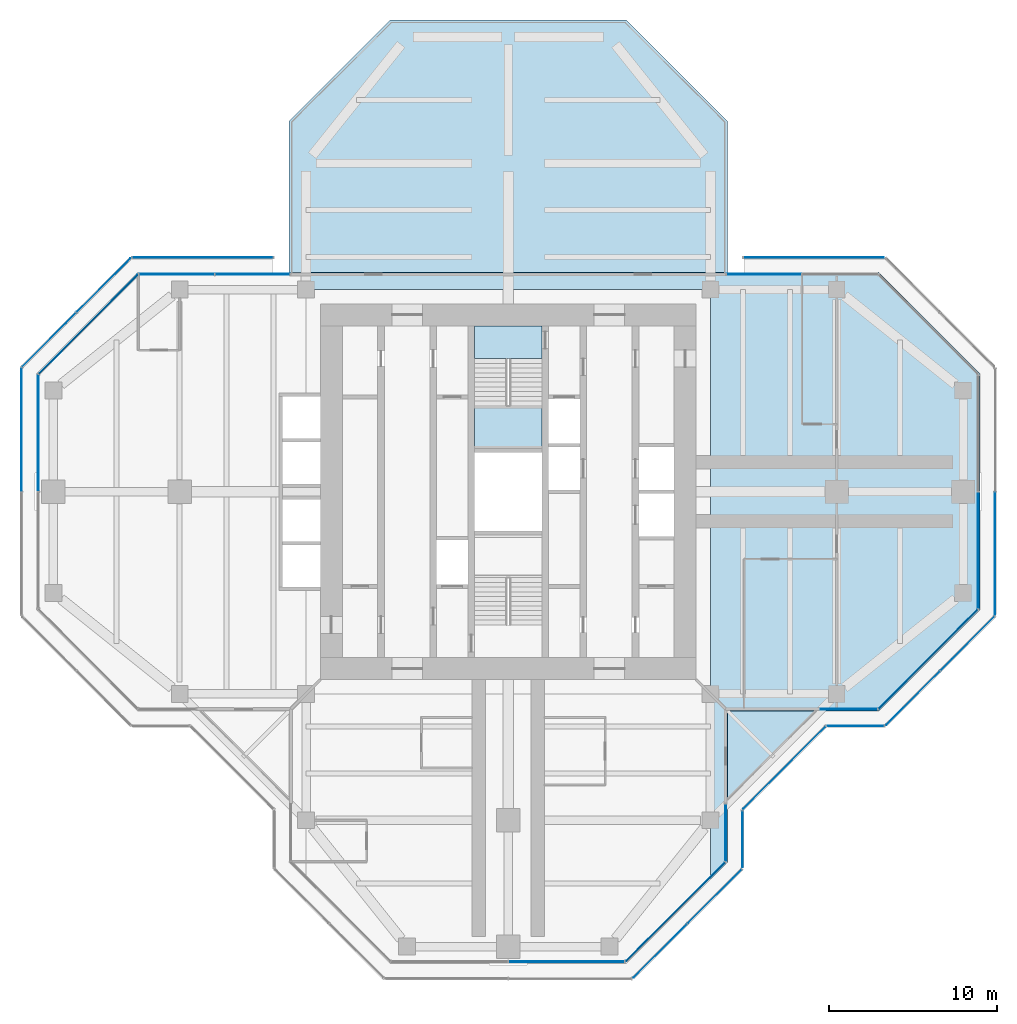
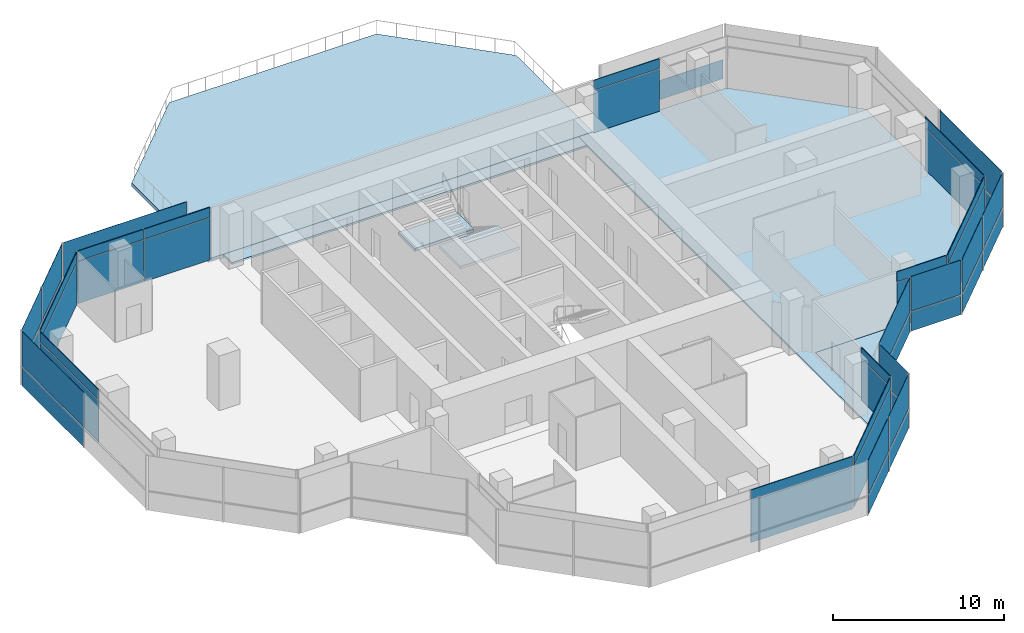
# One storey, part 10 of 15: 47 plates, 6 slabs, 21 elements without a shape of their own.
"""IFC4 building model written with IfcOpenShell, lengths in metres."""

from ifc_helpers import new_model, si_unit, direction, frame, origin, origin_2d, place, context, subcontext, project, spatial, polyline, rectangle, outline, extrude, material, layer, layer_set, type_object, element, aggregate, save


model = new_model("IFC4")

# Units and contexts
model_context = context("Model", 3, precision=1e-05, world=origin(), true_north=direction((0.0, 1.0)))
body_context = subcontext(model_context, "Body", "Model", "MODEL_VIEW")
ifc_project = project(units=[si_unit("LENGTHUNIT", "METRE"), si_unit("AREAUNIT", "SQUARE_METRE"), si_unit("VOLUMEUNIT", "CUBIC_METRE"), si_unit("PLANEANGLEUNIT", "RADIAN"), si_unit("MASSUNIT", "GRAM", prefix="KILO")], contexts=[model_context])

# Site, building, storey
site_placement = place(None, origin())
site = spatial("IfcSite", under=ifc_project, at=site_placement, CompositionType="ELEMENT")
building_placement = place(site_placement, origin())
building = spatial("IfcBuilding", under=site, at=building_placement, Name="Mizan Broadcast Tower", CompositionType="ELEMENT")
storey_placement = place(building_placement, frame((0.0, 0.0, 267.300048828125)))
storey = spatial("IfcBuildingStorey", under=building, at=storey_placement, Name="L63", CompositionType="ELEMENT", Elevation=267.300048828125)

# Slabs
ifc_material_1 = material(Name="Concrete C32/40", Category="concrete")
ifc_layer_1 = layer(ifc_material_1, 0.1298828125)
ifc_layer_set_1 = layer_set([ifc_layer_1], Name="Concrete C32/40")
slab_type_1 = type_object("IfcSlabType", Name="COMPOSITE DECK SLAB 130", PredefinedType="FLOOR", material=ifc_layer_set_1)
slab_1_placement = place(storey_placement, frame((0.0, 0.0, -0.130126953125)))
element("IfcSlab", 1, at=slab_1_placement, inside=storey, type_object=slab_type_1, Name="Floor slab L63 east arm", PredefinedType="FLOOR", context=body_context, shape_type="SweptSolid", body=[
    extrude(outline(polyline([(13.0, 13.0), (12.0, 13.0), (12.0, -23.0), (13.0, -22.0), (13.0, -13.0), (22.0, -13.0), (28.0, -7.0), (28.0, 7.0), (22.0, 13.0), (13.0, 13.0)])), origin(), (0.0, 0.0, 1.0), 0.130126953125),
])
slab_2_placement = place(storey_placement, frame((0.0, 0.0, -0.130126953125)))
element("IfcSlab", 2, at=slab_2_placement, inside=storey, type_object=slab_type_1, Name="Floor slab L63 north arm", PredefinedType="FLOOR", context=body_context, shape_type="SweptSolid", body=[
    extrude(outline(polyline([(12.0, 13.0), (-12.0, 13.0), (-12.0, 12.0), (12.0, 12.0), (12.0, 13.0)])), origin(), (0.0, 0.0, 1.0), 0.130126953125),
])

# Curtain wall, plate
ifc_material_2 = material(Name="Aluminium framed glazing", Category="aluminium")
curtain_wall_type_1 = type_object("IfcCurtainWallType", Name="INNER SKIN TOP ZONE", PredefinedType="USERDEFINED", material=ifc_material_2)
curtain_wall_1_placement = place(storey_placement, origin())
curtain_wall_1 = element("IfcCurtainWall", 3, at=curtain_wall_1_placement, inside=storey, type_object=curtain_wall_type_1, Name="Inner skin top zone L63 E side", ObjectType="INNER SKIN TOP ZONE", PredefinedType="USERDEFINED")
ifc_material_3 = material(Name="Double glazing, clear low-e", Category="glass")
ifc_layer_2 = layer(ifc_material_3, 0.028076171875)
ifc_layer_set_2 = layer_set([ifc_layer_2], Name="Double glazing, clear low-e")
plate_type_1 = type_object("IfcPlateType", Name="INNER SKIN GLAZING UNIT", PredefinedType="CURTAIN_PANEL", material=ifc_layer_set_2)
plate_1_placement = place(storey_placement, frame((20.229248046875, -12.89990234375, 0.0), z_axis=(0.0, 0.0, 1.0), x_axis=(1.0, 0.0, 0.0)))
plate_1 = element("IfcPlate", 4, at=plate_1_placement, type_object=plate_type_1, Name="Inner skin top zone L63 E side panel 1.1", PredefinedType="CURTAIN_PANEL", context=body_context, shape_type="SweptSolid", body=[
    extrude(rectangle(XDim=3.338623046875, YDim=0.028076171875, at=origin_2d()), origin(), (0.0, 0.0, 1.0), 3.0),
])

curtain_wall_2_placement = place(storey_placement, origin())
curtain_wall_2 = element("IfcCurtainWall", 5, at=curtain_wall_2_placement, inside=storey, type_object=curtain_wall_type_1, Name="Inner skin top zone L63 E chamfer", ObjectType="INNER SKIN TOP ZONE", PredefinedType="USERDEFINED")
plate_2_placement = place(storey_placement, frame((24.92919921875, -9.92919921875, 0.0), z_axis=(0.0, 0.0, 1.0), x_axis=(0.707106781187, 0.707106781187, 0.0)))
plate_2 = element("IfcPlate", 6, at=plate_2_placement, type_object=plate_type_1, Name="Inner skin top zone L63 E chamfer panel 1.1", PredefinedType="CURTAIN_PANEL", context=body_context, shape_type="SweptSolid", body=[
    extrude(rectangle(XDim=8.282470703125, YDim=0.028076171875, at=origin_2d()), origin(), (0.0, 0.0, 1.0), 3.0),
])

curtain_wall_3_placement = place(storey_placement, origin())
curtain_wall_3 = element("IfcCurtainWall", 7, at=curtain_wall_3_placement, inside=storey, type_object=curtain_wall_type_1, Name="Inner skin top zone L63 E end", ObjectType="INNER SKIN TOP ZONE", PredefinedType="USERDEFINED")
plate_3_placement = place(storey_placement, frame((27.89990234375, -3.46435546875, 0.0), z_axis=(0.0, 0.0, 1.0), x_axis=(0.0, 1.0, 0.0)))
plate_3 = element("IfcPlate", 8, at=plate_3_placement, type_object=plate_type_1, Name="Inner skin top zone L63 E end panel 1.1", PredefinedType="CURTAIN_PANEL", context=body_context, shape_type="SweptSolid", body=[
    extrude(rectangle(XDim=6.86865234375, YDim=0.028076171875, at=origin_2d()), origin(), (0.0, 0.0, 1.0), 3.0),
])

curtain_wall_4_placement = place(storey_placement, origin())
curtain_wall_4 = element("IfcCurtainWall", 9, at=curtain_wall_4_placement, inside=storey, type_object=curtain_wall_type_1, Name="Inner skin top zone L63 N end", ObjectType="INNER SKIN TOP ZONE", PredefinedType="USERDEFINED")
plate_4_placement = place(storey_placement, frame((15.1796875, 12.89990234375, 0.0), z_axis=(0.0, 0.0, 1.0), x_axis=(-1.0, 0.0, 0.0)))
plate_4 = element("IfcPlate", 10, at=plate_4_placement, type_object=plate_type_1, Name="Inner skin top zone L63 N end panel 2.1", PredefinedType="CURTAIN_PANEL", context=body_context, shape_type="SweptSolid", body=[
    extrude(rectangle(XDim=4.439208984375, YDim=0.028076171875, at=origin_2d()), origin(), (0.0, 0.0, 1.0), 3.0),
])

# Curtain wall, plates
curtain_wall_5_placement = place(storey_placement, origin())
curtain_wall_5 = element("IfcCurtainWall", 11, at=curtain_wall_5_placement, inside=storey, type_object=curtain_wall_type_1, Name="Inner skin top zone L63 N end", ObjectType="INNER SKIN TOP ZONE", PredefinedType="USERDEFINED")
plate_5_placement = place(storey_placement, frame((-15.1796875, 12.89990234375, 0.0), z_axis=(0.0, 0.0, 1.0), x_axis=(-1.0, 0.0, 0.0)))
plate_5 = element("IfcPlate", 12, at=plate_5_placement, type_object=plate_type_1, Name="Inner skin top zone L63 N end panel 1.1", PredefinedType="CURTAIN_PANEL", context=body_context, shape_type="SweptSolid", body=[
    extrude(rectangle(XDim=4.439208984375, YDim=0.028076171875, at=origin_2d()), origin(), (0.0, 0.0, 1.0), 3.0),
])
plate_6_placement = place(storey_placement, frame((-19.678955078125, 12.89990234375, 0.0), z_axis=(0.0, 0.0, 1.0), x_axis=(-1.0, 0.0, 0.0)))
plate_6 = element("IfcPlate", 13, at=plate_6_placement, type_object=plate_type_1, Name="Inner skin top zone L63 N end panel 2.1", PredefinedType="CURTAIN_PANEL", context=body_context, shape_type="SweptSolid", body=[
    extrude(rectangle(XDim=4.439208984375, YDim=0.028076171875, at=origin_2d()), origin(), (0.0, 0.0, 1.0), 3.0),
])

# Curtain wall, plate
curtain_wall_6_placement = place(storey_placement, origin())
curtain_wall_6 = element("IfcCurtainWall", 14, at=curtain_wall_6_placement, inside=storey, type_object=curtain_wall_type_1, Name="Inner skin top zone L63 W chamfer", ObjectType="INNER SKIN TOP ZONE", PredefinedType="USERDEFINED")
plate_7_placement = place(storey_placement, frame((-24.92919921875, 9.92919921875, 0.0), z_axis=(0.0, 0.0, 1.0), x_axis=(-0.707106781187, -0.707106781187, 0.0)))
plate_7 = element("IfcPlate", 15, at=plate_7_placement, type_object=plate_type_1, Name="Inner skin top zone L63 W chamfer panel 1.1", PredefinedType="CURTAIN_PANEL", context=body_context, shape_type="SweptSolid", body=[
    extrude(rectangle(XDim=8.282470703125, YDim=0.028076171875, at=origin_2d()), origin(), (0.0, 0.0, 1.0), 3.0),
])

curtain_wall_7_placement = place(storey_placement, origin())
curtain_wall_7 = element("IfcCurtainWall", 16, at=curtain_wall_7_placement, inside=storey, type_object=curtain_wall_type_1, Name="Inner skin top zone L63 W end", ObjectType="INNER SKIN TOP ZONE", PredefinedType="USERDEFINED")
plate_8_placement = place(storey_placement, frame((-27.89990234375, 3.46435546875, 0.0), z_axis=(0.0, 0.0, 1.0), x_axis=(0.0, -1.0, 0.0)))
plate_8 = element("IfcPlate", 17, at=plate_8_placement, type_object=plate_type_1, Name="Inner skin top zone L63 W end panel 1.1", PredefinedType="CURTAIN_PANEL", context=body_context, shape_type="SweptSolid", body=[
    extrude(rectangle(XDim=6.86865234375, YDim=0.028076171875, at=origin_2d()), origin(), (0.0, 0.0, 1.0), 3.0),
])

curtain_wall_8_placement = place(storey_placement, origin())
curtain_wall_8 = element("IfcCurtainWall", 18, at=curtain_wall_8_placement, inside=storey, type_object=curtain_wall_type_1, Name="Inner skin top zone L63 S end", ObjectType="INNER SKIN TOP ZONE", PredefinedType="USERDEFINED")
plate_9_placement = place(storey_placement, frame((3.46435546875, -27.89990234375, 0.0), z_axis=(0.0, 0.0, 1.0), x_axis=(1.0, 0.0, 0.0)))
plate_9 = element("IfcPlate", 19, at=plate_9_placement, type_object=plate_type_1, Name="Inner skin top zone L63 S end panel 2.1", PredefinedType="CURTAIN_PANEL", context=body_context, shape_type="SweptSolid", body=[
    extrude(rectangle(XDim=6.86865234375, YDim=0.028076171875, at=origin_2d()), origin(), (0.0, 0.0, 1.0), 3.0),
])

curtain_wall_9_placement = place(storey_placement, origin())
curtain_wall_9 = element("IfcCurtainWall", 20, at=curtain_wall_9_placement, inside=storey, type_object=curtain_wall_type_1, Name="Inner skin top zone L63 S chamfer", ObjectType="INNER SKIN TOP ZONE", PredefinedType="USERDEFINED")
plate_10_placement = place(storey_placement, frame((9.92919921875, -24.92919921875, 0.0), z_axis=(0.0, 0.0, 1.0), x_axis=(0.707106781187, 0.707106781187, 0.0)))
plate_10 = element("IfcPlate", 21, at=plate_10_placement, type_object=plate_type_1, Name="Inner skin top zone L63 S chamfer panel 1.1", PredefinedType="CURTAIN_PANEL", context=body_context, shape_type="SweptSolid", body=[
    extrude(rectangle(XDim=8.282470703125, YDim=0.028076171875, at=origin_2d()), origin(), (0.0, 0.0, 1.0), 3.0),
])

curtain_wall_10_placement = place(storey_placement, origin())
curtain_wall_10 = element("IfcCurtainWall", 22, at=curtain_wall_10_placement, inside=storey, type_object=curtain_wall_type_1, Name="Inner skin top zone L63 S side", ObjectType="INNER SKIN TOP ZONE", PredefinedType="USERDEFINED")
plate_11_placement = place(storey_placement, frame((12.89990234375, -20.229248046875, 0.0), z_axis=(0.0, 0.0, 1.0), x_axis=(0.0, 1.0, 0.0)))
plate_11 = element("IfcPlate", 23, at=plate_11_placement, type_object=plate_type_1, Name="Inner skin top zone L63 S side panel 1.1", PredefinedType="CURTAIN_PANEL", context=body_context, shape_type="SweptSolid", body=[
    extrude(rectangle(XDim=3.338623046875, YDim=0.028076171875, at=origin_2d()), origin(), (0.0, 0.0, 1.0), 3.0),
])

# Plate
ifc_material_4 = material(Name="Insulated aluminium spandrel panel, pale anodised", Category="aluminium")
ifc_layer_3 = layer(ifc_material_4, 0.050048828125)
ifc_layer_set_3 = layer_set([ifc_layer_3], Name="Insulated aluminium spandrel panel, pale anodised")
plate_type_2 = type_object("IfcPlateType", Name="INNER SKIN SPANDREL PANEL", PredefinedType="CURTAIN_PANEL", material=ifc_layer_set_3)
plate_12_placement = place(storey_placement, frame((20.229248046875, -12.89990234375, 3.06005859375), z_axis=(0.0, 0.0, 1.0), x_axis=(1.0, 0.0, 0.0)))
plate_12 = element("IfcPlate", 24, at=plate_12_placement, type_object=plate_type_2, Name="Inner skin top zone L63 E side panel 1.2", PredefinedType="CURTAIN_PANEL", context=body_context, shape_type="SweptSolid", body=[
    extrude(rectangle(XDim=3.338623046875, YDim=0.050048828125, at=origin_2d()), origin(), (0.0, 0.0, 1.0), 0.7099609375),
])

aggregate(curtain_wall_1, [plate_1, plate_12])

plate_13_placement = place(storey_placement, frame((24.92919921875, -9.92919921875, 3.06005859375), z_axis=(0.0, 0.0, 1.0), x_axis=(0.707106781187, 0.707106781187, 0.0)))
plate_13 = element("IfcPlate", 25, at=plate_13_placement, type_object=plate_type_2, Name="Inner skin top zone L63 E chamfer panel 1.2", PredefinedType="CURTAIN_PANEL", context=body_context, shape_type="SweptSolid", body=[
    extrude(rectangle(XDim=8.282470703125, YDim=0.050048828125, at=origin_2d()), origin(), (0.0, 0.0, 1.0), 0.7099609375),
])

aggregate(curtain_wall_2, [plate_2, plate_13])

plate_14_placement = place(storey_placement, frame((27.89990234375, -3.46435546875, 3.06005859375), z_axis=(0.0, 0.0, 1.0), x_axis=(0.0, 1.0, 0.0)))
plate_14 = element("IfcPlate", 26, at=plate_14_placement, type_object=plate_type_2, Name="Inner skin top zone L63 E end panel 1.2", PredefinedType="CURTAIN_PANEL", context=body_context, shape_type="SweptSolid", body=[
    extrude(rectangle(XDim=6.86865234375, YDim=0.050048828125, at=origin_2d()), origin(), (0.0, 0.0, 1.0), 0.7099609375),
])

aggregate(curtain_wall_3, [plate_3, plate_14])

plate_15_placement = place(storey_placement, frame((15.1796875, 12.89990234375, 3.06005859375), z_axis=(0.0, 0.0, 1.0), x_axis=(-1.0, 0.0, 0.0)))
plate_15 = element("IfcPlate", 27, at=plate_15_placement, type_object=plate_type_2, Name="Inner skin top zone L63 N end panel 2.2", PredefinedType="CURTAIN_PANEL", context=body_context, shape_type="SweptSolid", body=[
    extrude(rectangle(XDim=4.439208984375, YDim=0.050048828125, at=origin_2d()), origin(), (0.0, 0.0, 1.0), 0.7099609375),
])

aggregate(curtain_wall_4, [plate_4, plate_15])

plate_16_placement = place(storey_placement, frame((-15.1796875, 12.89990234375, 3.06005859375), z_axis=(0.0, 0.0, 1.0), x_axis=(-1.0, 0.0, 0.0)))
plate_16 = element("IfcPlate", 28, at=plate_16_placement, type_object=plate_type_2, Name="Inner skin top zone L63 N end panel 1.2", PredefinedType="CURTAIN_PANEL", context=body_context, shape_type="SweptSolid", body=[
    extrude(rectangle(XDim=4.439208984375, YDim=0.050048828125, at=origin_2d()), origin(), (0.0, 0.0, 1.0), 0.7099609375),
])

plate_17_placement = place(storey_placement, frame((-19.678955078125, 12.89990234375, 3.06005859375), z_axis=(0.0, 0.0, 1.0), x_axis=(-1.0, 0.0, 0.0)))
plate_17 = element("IfcPlate", 29, at=plate_17_placement, type_object=plate_type_2, Name="Inner skin top zone L63 N end panel 2.2", PredefinedType="CURTAIN_PANEL", context=body_context, shape_type="SweptSolid", body=[
    extrude(rectangle(XDim=4.439208984375, YDim=0.050048828125, at=origin_2d()), origin(), (0.0, 0.0, 1.0), 0.7099609375),
])

aggregate(curtain_wall_5, [plate_5, plate_16, plate_6, plate_17])

plate_18_placement = place(storey_placement, frame((-24.92919921875, 9.92919921875, 3.06005859375), z_axis=(0.0, 0.0, 1.0), x_axis=(-0.707106781187, -0.707106781187, 0.0)))
plate_18 = element("IfcPlate", 30, at=plate_18_placement, type_object=plate_type_2, Name="Inner skin top zone L63 W chamfer panel 1.2", PredefinedType="CURTAIN_PANEL", context=body_context, shape_type="SweptSolid", body=[
    extrude(rectangle(XDim=8.282470703125, YDim=0.050048828125, at=origin_2d()), origin(), (0.0, 0.0, 1.0), 0.7099609375),
])

aggregate(curtain_wall_6, [plate_7, plate_18])

plate_19_placement = place(storey_placement, frame((-27.89990234375, 3.46435546875, 3.06005859375), z_axis=(0.0, 0.0, 1.0), x_axis=(0.0, -1.0, 0.0)))
plate_19 = element("IfcPlate", 31, at=plate_19_placement, type_object=plate_type_2, Name="Inner skin top zone L63 W end panel 1.2", PredefinedType="CURTAIN_PANEL", context=body_context, shape_type="SweptSolid", body=[
    extrude(rectangle(XDim=6.86865234375, YDim=0.050048828125, at=origin_2d()), origin(), (0.0, 0.0, 1.0), 0.7099609375),
])

aggregate(curtain_wall_7, [plate_8, plate_19])

plate_20_placement = place(storey_placement, frame((3.46435546875, -27.89990234375, 3.06005859375), z_axis=(0.0, 0.0, 1.0), x_axis=(1.0, 0.0, 0.0)))
plate_20 = element("IfcPlate", 32, at=plate_20_placement, type_object=plate_type_2, Name="Inner skin top zone L63 S end panel 2.2", PredefinedType="CURTAIN_PANEL", context=body_context, shape_type="SweptSolid", body=[
    extrude(rectangle(XDim=6.86865234375, YDim=0.050048828125, at=origin_2d()), origin(), (0.0, 0.0, 1.0), 0.7099609375),
])

aggregate(curtain_wall_8, [plate_9, plate_20])

plate_21_placement = place(storey_placement, frame((9.92919921875, -24.92919921875, 3.06005859375), z_axis=(0.0, 0.0, 1.0), x_axis=(0.707106781187, 0.707106781187, 0.0)))
plate_21 = element("IfcPlate", 33, at=plate_21_placement, type_object=plate_type_2, Name="Inner skin top zone L63 S chamfer panel 1.2", PredefinedType="CURTAIN_PANEL", context=body_context, shape_type="SweptSolid", body=[
    extrude(rectangle(XDim=8.282470703125, YDim=0.050048828125, at=origin_2d()), origin(), (0.0, 0.0, 1.0), 0.7099609375),
])

aggregate(curtain_wall_9, [plate_10, plate_21])

plate_22_placement = place(storey_placement, frame((12.89990234375, -20.229248046875, 3.06005859375), z_axis=(0.0, 0.0, 1.0), x_axis=(0.0, 1.0, 0.0)))
plate_22 = element("IfcPlate", 34, at=plate_22_placement, type_object=plate_type_2, Name="Inner skin top zone L63 S side panel 1.2", PredefinedType="CURTAIN_PANEL", context=body_context, shape_type="SweptSolid", body=[
    extrude(rectangle(XDim=3.338623046875, YDim=0.050048828125, at=origin_2d()), origin(), (0.0, 0.0, 1.0), 0.7099609375),
])

aggregate(curtain_wall_10, [plate_11, plate_22])

# Curtain wall, plates
ifc_material_5 = material(Name="Aluminium framed glazing", Category="aluminium")
curtain_wall_type_2 = type_object("IfcCurtainWallType", Name="OUTER SKIN", PredefinedType="USERDEFINED", material=ifc_material_5)
curtain_wall_11_placement = place(storey_placement, origin())
curtain_wall_11 = element("IfcCurtainWall", 35, at=curtain_wall_11_placement, inside=storey, type_object=curtain_wall_type_2, Name="Outer skin L63 S chamfer", ObjectType="OUTER SKIN", PredefinedType="USERDEFINED")
ifc_material_6 = material(Name="Laminated clear glass", Category="glass")
ifc_layer_4 = layer(ifc_material_6, 0.02001953125)
ifc_layer_set_4 = layer_set([ifc_layer_4], Name="Laminated clear glass")
plate_type_3 = type_object("IfcPlateType", Name="OUTER SKIN CLEAR GLASS", PredefinedType="CURTAIN_PANEL", material=ifc_layer_set_4)
plate_23_placement = place(storey_placement, frame((9.018798828125, -27.254150390625, 0.0), z_axis=(0.0, 0.0, 1.0), x_axis=(0.707106781187, 0.707106781187, 0.0)))
plate_23 = element("IfcPlate", 36, at=plate_23_placement, type_object=plate_type_3, Name="Outer skin L63 S chamfer panel 1.1", PredefinedType="CURTAIN_PANEL", context=body_context, shape_type="SweptSolid", body=[
    extrude(rectangle(XDim=4.495361328125, YDim=0.02001953125, at=origin_2d()), origin(), (0.0, 0.0, 1.0), 1.3701171875),
])
plate_24_placement = place(storey_placement, frame((9.018798828125, -27.254150390625, 1.43017578125), z_axis=(0.0, 0.0, 1.0), x_axis=(0.707106781187, 0.707106781187, 0.0)))
plate_24 = element("IfcPlate", 37, at=plate_24_placement, type_object=plate_type_3, Name="Outer skin L63 S chamfer panel 1.2", PredefinedType="CURTAIN_PANEL", context=body_context, shape_type="SweptSolid", body=[
    extrude(rectangle(XDim=4.495361328125, YDim=0.02001953125, at=origin_2d()), origin(), (0.0, 0.0, 1.0), 2.469970703125),
])

curtain_wall_12_placement = place(storey_placement, origin())
curtain_wall_12 = element("IfcCurtainWall", 38, at=curtain_wall_12_placement, inside=storey, type_object=curtain_wall_type_2, Name="Outer skin L63 S side", ObjectType="OUTER SKIN", PredefinedType="USERDEFINED")
plate_25_placement = place(storey_placement, frame((13.89990234375, -20.622802734375, 0.0), z_axis=(0.0, 0.0, 1.0), x_axis=(0.0, 1.0, 0.0)))
plate_25 = element("IfcPlate", 39, at=plate_25_placement, type_object=plate_type_3, Name="Outer skin L63 S side panel 1.1", PredefinedType="CURTAIN_PANEL", context=body_context, shape_type="SweptSolid", body=[
    extrude(rectangle(XDim=3.340087890625, YDim=0.02001953125, at=origin_2d()), origin(), (0.0, 0.0, 1.0), 1.3701171875),
])
plate_26_placement = place(storey_placement, frame((13.89990234375, -20.622802734375, 1.43017578125), z_axis=(0.0, 0.0, 1.0), x_axis=(0.0, 1.0, 0.0)))
plate_26 = element("IfcPlate", 40, at=plate_26_placement, type_object=plate_type_3, Name="Outer skin L63 S side panel 1.2", PredefinedType="CURTAIN_PANEL", context=body_context, shape_type="SweptSolid", body=[
    extrude(rectangle(XDim=3.340087890625, YDim=0.02001953125, at=origin_2d()), origin(), (0.0, 0.0, 1.0), 2.469970703125),
])
aggregate(curtain_wall_12, [plate_25, plate_26])

curtain_wall_13_placement = place(storey_placement, origin())
curtain_wall_13 = element("IfcCurtainWall", 41, at=curtain_wall_13_placement, inside=storey, type_object=curtain_wall_type_2, Name="Outer skin L63 E chamfer", ObjectType="OUTER SKIN", PredefinedType="USERDEFINED")
plate_27_placement = place(storey_placement, frame((16.386474609375, -16.386474609375, 0.0), z_axis=(0.0, 0.0, 1.0), x_axis=(0.707106781187, 0.707106781187, 0.0)))
plate_27 = element("IfcPlate", 42, at=plate_27_placement, type_object=plate_type_3, Name="Outer skin L63 E chamfer panel 1.1", PredefinedType="CURTAIN_PANEL", context=body_context, shape_type="SweptSolid", body=[
    extrude(rectangle(XDim=6.87255859375, YDim=0.02001953125, at=origin_2d()), origin(), (0.0, 0.0, 1.0), 1.3701171875),
])
plate_28_placement = place(storey_placement, frame((16.386474609375, -16.386474609375, 1.43017578125), z_axis=(0.0, 0.0, 1.0), x_axis=(0.707106781187, 0.707106781187, 0.0)))
plate_28 = element("IfcPlate", 43, at=plate_28_placement, type_object=plate_type_3, Name="Outer skin L63 E chamfer panel 1.2", PredefinedType="CURTAIN_PANEL", context=body_context, shape_type="SweptSolid", body=[
    extrude(rectangle(XDim=6.87255859375, YDim=0.02001953125, at=origin_2d()), origin(), (0.0, 0.0, 1.0), 2.469970703125),
])
aggregate(curtain_wall_13, [plate_27, plate_28])

curtain_wall_14_placement = place(storey_placement, origin())
curtain_wall_14 = element("IfcCurtainWall", 44, at=curtain_wall_14_placement, inside=storey, type_object=curtain_wall_type_2, Name="Outer skin L63 E side", ObjectType="OUTER SKIN", PredefinedType="USERDEFINED")
plate_29_placement = place(storey_placement, frame((20.622802734375, -13.89990234375, 0.0), z_axis=(0.0, 0.0, 1.0), x_axis=(1.0, 0.0, 0.0)))
plate_29 = element("IfcPlate", 45, at=plate_29_placement, type_object=plate_type_3, Name="Outer skin L63 E side panel 1.1", PredefinedType="CURTAIN_PANEL", context=body_context, shape_type="SweptSolid", body=[
    extrude(rectangle(XDim=3.340087890625, YDim=0.02001953125, at=origin_2d()), origin(), (0.0, 0.0, 1.0), 1.3701171875),
])
plate_30_placement = place(storey_placement, frame((20.622802734375, -13.89990234375, 1.43017578125), z_axis=(0.0, 0.0, 1.0), x_axis=(1.0, 0.0, 0.0)))
plate_30 = element("IfcPlate", 46, at=plate_30_placement, type_object=plate_type_3, Name="Outer skin L63 E side panel 1.2", PredefinedType="CURTAIN_PANEL", context=body_context, shape_type="SweptSolid", body=[
    extrude(rectangle(XDim=3.340087890625, YDim=0.02001953125, at=origin_2d()), origin(), (0.0, 0.0, 1.0), 2.469970703125),
])
aggregate(curtain_wall_14, [plate_29, plate_30])

curtain_wall_15_placement = place(storey_placement, origin())
curtain_wall_15 = element("IfcCurtainWall", 47, at=curtain_wall_15_placement, inside=storey, type_object=curtain_wall_type_2, Name="Outer skin L63 E chamfer", ObjectType="OUTER SKIN", PredefinedType="USERDEFINED")
plate_31_placement = place(storey_placement, frame((24.018798828125, -12.254150390625, 0.0), z_axis=(0.0, 0.0, 1.0), x_axis=(0.707106781187, 0.707106781187, 0.0)))
plate_31 = element("IfcPlate", 48, at=plate_31_placement, type_object=plate_type_3, Name="Outer skin L63 E chamfer panel 1.1", PredefinedType="CURTAIN_PANEL", context=body_context, shape_type="SweptSolid", body=[
    extrude(rectangle(XDim=4.495361328125, YDim=0.02001953125, at=origin_2d()), origin(), (0.0, 0.0, 1.0), 1.3701171875),
])
plate_32_placement = place(storey_placement, frame((24.018798828125, -12.254150390625, 1.43017578125), z_axis=(0.0, 0.0, 1.0), x_axis=(0.707106781187, 0.707106781187, 0.0)))
plate_32 = element("IfcPlate", 49, at=plate_32_placement, type_object=plate_type_3, Name="Outer skin L63 E chamfer panel 1.2", PredefinedType="CURTAIN_PANEL", context=body_context, shape_type="SweptSolid", body=[
    extrude(rectangle(XDim=4.495361328125, YDim=0.02001953125, at=origin_2d()), origin(), (0.0, 0.0, 1.0), 2.469970703125),
])

curtain_wall_16_placement = place(storey_placement, origin())
curtain_wall_16 = element("IfcCurtainWall", 50, at=curtain_wall_16_placement, inside=storey, type_object=curtain_wall_type_2, Name="Outer skin L63 E end", ObjectType="OUTER SKIN", PredefinedType="USERDEFINED")
plate_33_placement = place(storey_placement, frame((28.89990234375, -3.66650390625, 0.0), z_axis=(0.0, 0.0, 1.0), x_axis=(0.0, 1.0, 0.0)))
plate_33 = element("IfcPlate", 51, at=plate_33_placement, type_object=plate_type_3, Name="Outer skin L63 E end panel 1.1", PredefinedType="CURTAIN_PANEL", context=body_context, shape_type="SweptSolid", body=[
    extrude(rectangle(XDim=7.252685546875, YDim=0.02001953125, at=origin_2d()), origin(), (0.0, 0.0, 1.0), 1.3701171875),
])
plate_34_placement = place(storey_placement, frame((28.89990234375, -3.66650390625, 1.43017578125), z_axis=(0.0, 0.0, 1.0), x_axis=(0.0, 1.0, 0.0)))
plate_34 = element("IfcPlate", 52, at=plate_34_placement, type_object=plate_type_3, Name="Outer skin L63 E end panel 1.2", PredefinedType="CURTAIN_PANEL", context=body_context, shape_type="SweptSolid", body=[
    extrude(rectangle(XDim=7.252685546875, YDim=0.02001953125, at=origin_2d()), origin(), (0.0, 0.0, 1.0), 2.469970703125),
])
aggregate(curtain_wall_16, [plate_33, plate_34])

# Curtain wall, plate
curtain_wall_17_placement = place(storey_placement, origin())
curtain_wall_17 = element("IfcCurtainWall", 53, at=curtain_wall_17_placement, inside=storey, type_object=curtain_wall_type_2, Name="Outer skin L63 N face", ObjectType="OUTER SKIN", PredefinedType="USERDEFINED")
plate_35_placement = place(storey_placement, frame((18.136474609375, 13.89990234375, 0.0), z_axis=(0.0, 0.0, 1.0), x_axis=(-1.0, 0.0, 0.0)))
plate_35 = element("IfcPlate", 54, at=plate_35_placement, type_object=plate_type_3, Name="Outer skin L63 N face panel 1.1", PredefinedType="CURTAIN_PANEL", context=body_context, shape_type="SweptSolid", body=[
    extrude(rectangle(XDim=8.312744140625, YDim=0.02001953125, at=origin_2d()), origin(), (0.0, 0.0, 1.0), 1.3701171875),
])
aggregate(curtain_wall_17, [plate_35])

# Curtain wall, plates
curtain_wall_18_placement = place(storey_placement, origin())
curtain_wall_18 = element("IfcCurtainWall", 55, at=curtain_wall_18_placement, inside=storey, type_object=curtain_wall_type_2, Name="Outer skin L63 N face", ObjectType="OUTER SKIN", PredefinedType="USERDEFINED")
plate_36_placement = place(storey_placement, frame((-18.136474609375, 13.89990234375, 0.0), z_axis=(0.0, 0.0, 1.0), x_axis=(-1.0, 0.0, 0.0)))
plate_36 = element("IfcPlate", 56, at=plate_36_placement, type_object=plate_type_3, Name="Outer skin L63 N face panel 1.1", PredefinedType="CURTAIN_PANEL", context=body_context, shape_type="SweptSolid", body=[
    extrude(rectangle(XDim=8.312744140625, YDim=0.02001953125, at=origin_2d()), origin(), (0.0, 0.0, 1.0), 1.3701171875),
])
plate_37_placement = place(storey_placement, frame((-18.136474609375, 13.89990234375, 1.43017578125), z_axis=(0.0, 0.0, 1.0), x_axis=(-1.0, 0.0, 0.0)))
plate_37 = element("IfcPlate", 57, at=plate_37_placement, type_object=plate_type_3, Name="Outer skin L63 N face panel 1.2", PredefinedType="CURTAIN_PANEL", context=body_context, shape_type="SweptSolid", body=[
    extrude(rectangle(XDim=8.312744140625, YDim=0.02001953125, at=origin_2d()), origin(), (0.0, 0.0, 1.0), 2.469970703125),
])
aggregate(curtain_wall_18, [plate_36, plate_37])

curtain_wall_19_placement = place(storey_placement, origin())
curtain_wall_19 = element("IfcCurtainWall", 58, at=curtain_wall_19_placement, inside=storey, type_object=curtain_wall_type_2, Name="Outer skin L63 W chamfer", ObjectType="OUTER SKIN", PredefinedType="USERDEFINED")
plate_38_placement = place(storey_placement, frame((-24.018798828125, 12.254150390625, 0.0), z_axis=(0.0, 0.0, 1.0), x_axis=(-0.707106781187, -0.707106781187, 0.0)))
plate_38 = element("IfcPlate", 59, at=plate_38_placement, type_object=plate_type_3, Name="Outer skin L63 W chamfer panel 1.1", PredefinedType="CURTAIN_PANEL", context=body_context, shape_type="SweptSolid", body=[
    extrude(rectangle(XDim=4.495361328125, YDim=0.02001953125, at=origin_2d()), origin(), (0.0, 0.0, 1.0), 1.3701171875),
])
plate_39_placement = place(storey_placement, frame((-24.018798828125, 12.254150390625, 1.43017578125), z_axis=(0.0, 0.0, 1.0), x_axis=(-0.707106781187, -0.707106781187, 0.0)))
plate_39 = element("IfcPlate", 60, at=plate_39_placement, type_object=plate_type_3, Name="Outer skin L63 W chamfer panel 1.2", PredefinedType="CURTAIN_PANEL", context=body_context, shape_type="SweptSolid", body=[
    extrude(rectangle(XDim=4.495361328125, YDim=0.02001953125, at=origin_2d()), origin(), (0.0, 0.0, 1.0), 2.469970703125),
])

curtain_wall_20_placement = place(storey_placement, origin())
curtain_wall_20 = element("IfcCurtainWall", 61, at=curtain_wall_20_placement, inside=storey, type_object=curtain_wall_type_2, Name="Outer skin L63 W end", ObjectType="OUTER SKIN", PredefinedType="USERDEFINED")
plate_40_placement = place(storey_placement, frame((-28.89990234375, 3.66650390625, 0.0), z_axis=(0.0, 0.0, 1.0), x_axis=(0.0, -1.0, 0.0)))
plate_40 = element("IfcPlate", 62, at=plate_40_placement, type_object=plate_type_3, Name="Outer skin L63 W end panel 1.1", PredefinedType="CURTAIN_PANEL", context=body_context, shape_type="SweptSolid", body=[
    extrude(rectangle(XDim=7.252685546875, YDim=0.02001953125, at=origin_2d()), origin(), (0.0, 0.0, 1.0), 1.3701171875),
])
plate_41_placement = place(storey_placement, frame((-28.89990234375, 3.66650390625, 1.43017578125), z_axis=(0.0, 0.0, 1.0), x_axis=(0.0, -1.0, 0.0)))
plate_41 = element("IfcPlate", 63, at=plate_41_placement, type_object=plate_type_3, Name="Outer skin L63 W end panel 1.2", PredefinedType="CURTAIN_PANEL", context=body_context, shape_type="SweptSolid", body=[
    extrude(rectangle(XDim=7.252685546875, YDim=0.02001953125, at=origin_2d()), origin(), (0.0, 0.0, 1.0), 2.469970703125),
])
aggregate(curtain_wall_20, [plate_40, plate_41])

# Plate
ifc_material_7 = material(Name="Perforated aluminium, pale anodised", Category="aluminium")
ifc_layer_5 = layer(ifc_material_7, 0.011962890625)
ifc_layer_set_5 = layer_set([ifc_layer_5], Name="Perforated aluminium, pale anodised")
plate_type_4 = type_object("IfcPlateType", Name="OUTER SKIN PERFORATED SCREEN", PredefinedType="USERDEFINED", material=ifc_layer_set_5)
plate_42_placement = place(storey_placement, frame((12.254150390625, -24.018798828125, 0.0), z_axis=(0.0, 0.0, 1.0), x_axis=(0.707106781187, 0.707106781187, 0.0)))
plate_42 = element("IfcPlate", 64, at=plate_42_placement, type_object=plate_type_4, Name="Outer skin L63 S chamfer panel 2.1", ObjectType="SCREEN", PredefinedType="USERDEFINED", context=body_context, shape_type="SweptSolid", body=[
    extrude(rectangle(XDim=4.495361328125, YDim=0.011962890625, at=origin_2d()), origin(), (0.0, 0.0, 1.0), 1.3701171875),
])

plate_43_placement = place(storey_placement, frame((12.254150390625, -24.018798828125, 1.43017578125), z_axis=(0.0, 0.0, 1.0), x_axis=(0.707106781187, 0.707106781187, 0.0)))
plate_43 = element("IfcPlate", 65, at=plate_43_placement, type_object=plate_type_4, Name="Outer skin L63 S chamfer panel 2.2", ObjectType="SCREEN", PredefinedType="USERDEFINED", context=body_context, shape_type="SweptSolid", body=[
    extrude(rectangle(XDim=4.495361328125, YDim=0.011962890625, at=origin_2d()), origin(), (0.0, 0.0, 1.0), 2.469970703125),
])

aggregate(curtain_wall_11, [plate_23, plate_24, plate_42, plate_43])

plate_44_placement = place(storey_placement, frame((27.254150390625, -9.018798828125, 0.0), z_axis=(0.0, 0.0, 1.0), x_axis=(0.707106781187, 0.707106781187, 0.0)))
plate_44 = element("IfcPlate", 66, at=plate_44_placement, type_object=plate_type_4, Name="Outer skin L63 E chamfer panel 2.1", ObjectType="SCREEN", PredefinedType="USERDEFINED", context=body_context, shape_type="SweptSolid", body=[
    extrude(rectangle(XDim=4.495361328125, YDim=0.011962890625, at=origin_2d()), origin(), (0.0, 0.0, 1.0), 1.3701171875),
])

plate_45_placement = place(storey_placement, frame((27.254150390625, -9.018798828125, 1.43017578125), z_axis=(0.0, 0.0, 1.0), x_axis=(0.707106781187, 0.707106781187, 0.0)))
plate_45 = element("IfcPlate", 67, at=plate_45_placement, type_object=plate_type_4, Name="Outer skin L63 E chamfer panel 2.2", ObjectType="SCREEN", PredefinedType="USERDEFINED", context=body_context, shape_type="SweptSolid", body=[
    extrude(rectangle(XDim=4.495361328125, YDim=0.011962890625, at=origin_2d()), origin(), (0.0, 0.0, 1.0), 2.469970703125),
])

aggregate(curtain_wall_15, [plate_31, plate_32, plate_44, plate_45])

plate_46_placement = place(storey_placement, frame((-27.254150390625, 9.018798828125, 0.0), z_axis=(0.0, 0.0, 1.0), x_axis=(-0.707106781187, -0.707106781187, 0.0)))
plate_46 = element("IfcPlate", 68, at=plate_46_placement, type_object=plate_type_4, Name="Outer skin L63 W chamfer panel 2.1", ObjectType="SCREEN", PredefinedType="USERDEFINED", context=body_context, shape_type="SweptSolid", body=[
    extrude(rectangle(XDim=4.495361328125, YDim=0.011962890625, at=origin_2d()), origin(), (0.0, 0.0, 1.0), 1.3701171875),
])

plate_47_placement = place(storey_placement, frame((-27.254150390625, 9.018798828125, 1.43017578125), z_axis=(0.0, 0.0, 1.0), x_axis=(-0.707106781187, -0.707106781187, 0.0)))
plate_47 = element("IfcPlate", 69, at=plate_47_placement, type_object=plate_type_4, Name="Outer skin L63 W chamfer panel 2.2", ObjectType="SCREEN", PredefinedType="USERDEFINED", context=body_context, shape_type="SweptSolid", body=[
    extrude(rectangle(XDim=4.495361328125, YDim=0.011962890625, at=origin_2d()), origin(), (0.0, 0.0, 1.0), 2.469970703125),
])

aggregate(curtain_wall_19, [plate_38, plate_39, plate_46, plate_47])

# Slab
ifc_material_8 = material(Name="Concrete C32/40", Category="concrete")
ifc_layer_6 = layer(ifc_material_8, 0.25)
ifc_layer_set_6 = layer_set([ifc_layer_6], Name="Concrete C32/40")
slab_type_2 = type_object("IfcSlabType", Name="ROOF SLAB ON DECK 250", PredefinedType="ROOF", material=ifc_layer_set_6)
slab_3_placement = place(storey_placement, frame((0.0, 0.0, -0.25)))
element("IfcSlab", 70, at=slab_3_placement, inside=storey, type_object=slab_type_2, Name="Roof terrace slab L63", PredefinedType="ROOF", context=body_context, shape_type="SweptSolid", body=[
    extrude(outline(polyline([(-13.0, 22.0), (-13.0, 13.010009765625), (13.0, 13.010009765625), (13.0, 22.0), (7.0, 28.0), (-7.0, 28.0), (-13.0, 22.0)])), origin(), (0.0, 0.0, 1.0), 0.25),
])

# Stair, slabs
ifc_material_9 = material(Name="Concrete C40/50", Category="concrete")
stair_type = type_object("IfcStairType", Name="EXIT STAIR", PredefinedType="HALF_TURN_STAIR", material=ifc_material_9)
stair_placement = place(storey_placement, origin())
stair = element("IfcStair", 71, at=stair_placement, inside=storey, type_object=stair_type, Name="Stair B L63", PredefinedType="HALF_TURN_STAIR")
ifc_material_10 = material(Name="Concrete C40/50", Category="concrete")
ifc_layer_7 = layer(ifc_material_10, 0.199951171875)
ifc_layer_set_7 = layer_set([ifc_layer_7], Name="Concrete C40/50")
slab_type_3 = type_object("IfcSlabType", Name="STAIR LANDING 200", PredefinedType="LANDING", material=ifc_layer_set_7)
slab_4_placement = place(storey_placement, frame((0.0, 0.0, -0.199951171875)))
slab_4 = element("IfcSlab", 72, at=slab_4_placement, type_object=slab_type_3, Name="B landing 1", PredefinedType="LANDING", context=body_context, shape_type="SweptSolid", body=[
    extrude(outline(polyline([(2.0, 9.85009765625), (2.0, 7.89990234375), (-2.0, 7.89990234375), (-2.0, 9.85009765625), (2.0, 9.85009765625)])), origin(), (0.0, 0.0, 1.0), 0.199951171875),
])
slab_5_placement = place(storey_placement, frame((0.0, 0.0, 1.75)))
slab_5 = element("IfcSlab", 73, at=slab_5_placement, type_object=slab_type_3, Name="B landing 2", PredefinedType="LANDING", context=body_context, shape_type="SweptSolid", body=[
    extrude(outline(polyline([(2.0, 5.10009765625), (2.0, 2.574951171875), (-2.0, 2.574951171875), (-2.0, 5.10009765625), (2.0, 5.10009765625)])), origin(), (0.0, 0.0, 1.0), 0.199951171875),
])
aggregate(stair, [slab_4, slab_5])

# Slab
ifc_material_11 = material(Name="Concrete C32/40", Category="concrete")
ifc_layer_8 = layer(ifc_material_11, 0.1298828125)
ifc_layer_set_8 = layer_set([ifc_layer_8], Name="Concrete C32/40")
slab_type_4 = type_object("IfcSlabType", Name="WINTER GARDEN SLAB 130", PredefinedType="FLOOR", material=ifc_layer_set_8)
slab_6_placement = place(storey_placement, frame((0.0, 0.0, -0.130126953125)))
element("IfcSlab", 74, at=slab_6_placement, inside=storey, type_object=slab_type_4, Name="Winter garden slab L63 S", PredefinedType="FLOOR", context=body_context, shape_type="SweptSolid", body=[
    extrude(outline(polyline([(13.0, -13.0), (13.0, -18.5), (18.5, -13.0), (13.0, -13.0)])), origin(), (0.0, 0.0, 1.0), 0.130126953125),
])

save(model, "model.ifc")
